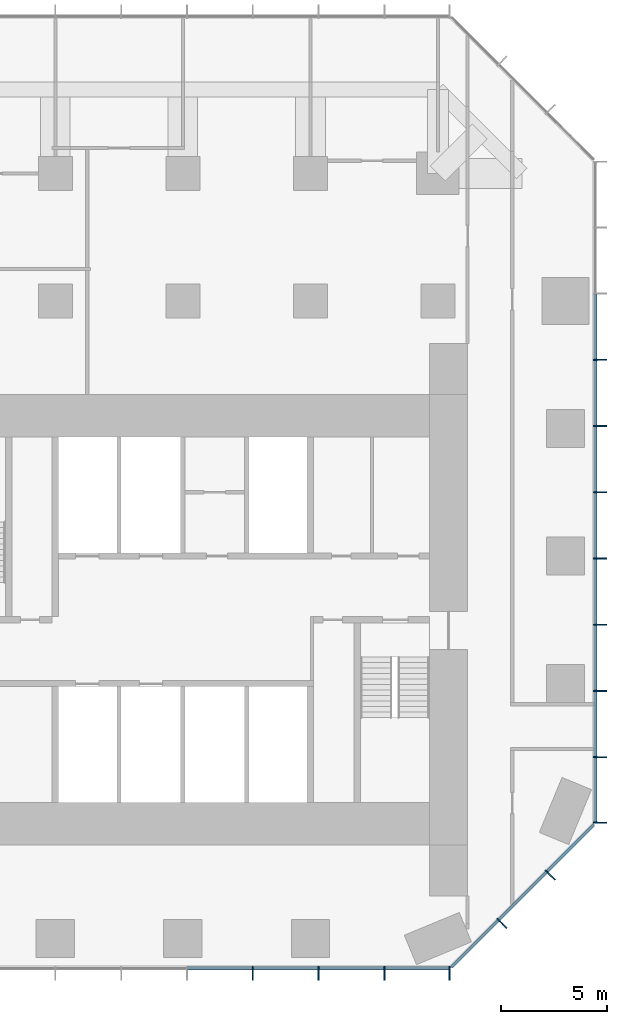
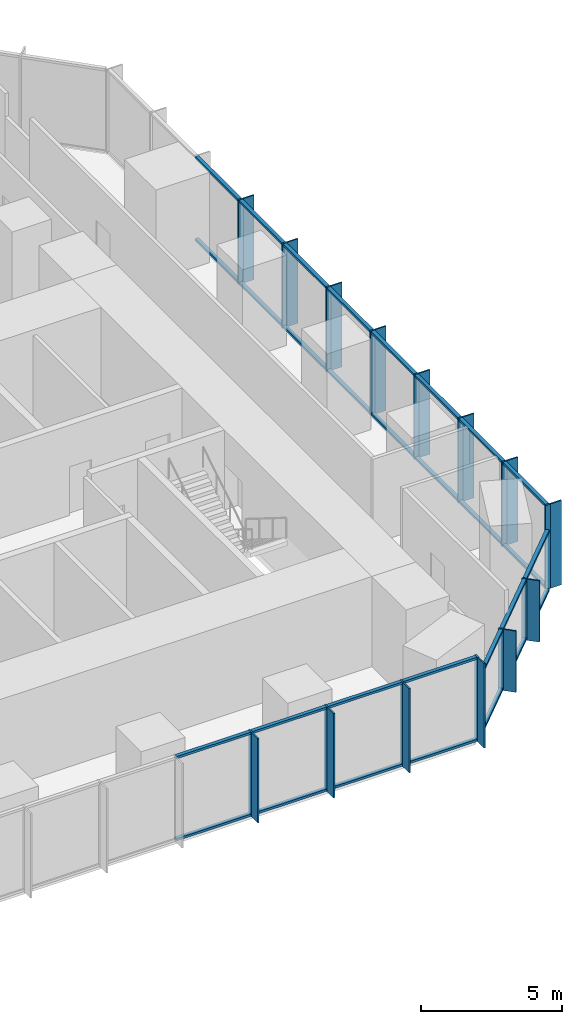
# One storey, part 4 of 11: 58 members, 3 elements without a shape of their own.
"""IFC4 building model written with IfcOpenShell, lengths in metres."""

from ifc_helpers import new_model, si_unit, direction, frame, origin, origin_2d, place, context, subcontext, project, spatial, rectangle, extrude, material, layer, layer_set, material_profile, profile_set, type_object, element, aggregate, save


model = new_model("IFC4")

# Units and contexts
model_context = context("Model", 3, precision=1e-05, world=origin(), true_north=direction((0.0, 1.0)))
body_context = subcontext(model_context, "Body", "Model", "MODEL_VIEW")
ifc_project = project(units=[si_unit("LENGTHUNIT", "METRE"), si_unit("AREAUNIT", "SQUARE_METRE"), si_unit("VOLUMEUNIT", "CUBIC_METRE"), si_unit("PLANEANGLEUNIT", "RADIAN"), si_unit("MASSUNIT", "GRAM", prefix="KILO")], contexts=[model_context])

# Site, building, storey
site_placement = place(None, origin())
site = spatial("IfcSite", under=ifc_project, at=site_placement, CompositionType="ELEMENT")
building_placement = place(site_placement, origin())
building = spatial("IfcBuilding", under=site, at=building_placement, Name="Highveld Stack Headquarters", CompositionType="ELEMENT")
storey_placement = place(building_placement, frame((0.0, 0.0, 113.300048828125)))
storey = spatial("IfcBuildingStorey", under=building, at=storey_placement, Name="L27", CompositionType="ELEMENT", Elevation=113.300048828125)

# Curtain wall, members
ifc_material_1 = material(Name="Aluminium bronze anodised", Category="aluminium")
ifc_layer_1 = layer(ifc_material_1, 0.199951171875)
ifc_layer_set_1 = layer_set([ifc_layer_1], Name="Aluminium bronze anodised")
curtain_wall_type_1 = type_object("IfcCurtainWallType", Name="CW1 TOWER UNITISED CURTAIN WALL", PredefinedType="NOTDEFINED", material=ifc_layer_set_1)
curtain_wall_1_placement = place(storey_placement, origin())
curtain_wall_1 = element("IfcCurtainWall", 1, at=curtain_wall_1_placement, inside=storey, type_object=curtain_wall_type_1, Name="Curtain wall CW1 L27 S", PredefinedType="NOTDEFINED")
ifc_material_2 = material(Name="Aluminium bronze anodised", Category="aluminium")
ifc_material_profile_1 = material_profile(ifc_material_2, rectangle(XDim=0.449951171875, YDim=0.06005859375, at=origin_2d()), Name="FIN 450x60")
ifc_profile_set_1 = profile_set([ifc_material_profile_1], Name="Aluminium bronze anodised")
member_type_1 = type_object("IfcMemberType", Name="CW1 BRONZE FIN 450x60", PredefinedType="USERDEFINED", material=ifc_profile_set_1)
member_1_placement = place(storey_placement, frame((9.2900390625, -13.72509765625, 0.0), z_axis=(0.0, 0.0, 1.0), x_axis=(0.0, 1.0, 0.0)))
member_1 = element("IfcMember", 2, at=member_1_placement, type_object=member_type_1, Name="CW1 fin L27 10", ObjectType="FIN", PredefinedType="USERDEFINED", context=body_context, shape_type="SweptSolid", body=[
    extrude(rectangle(XDim=0.449951171875, YDim=0.06005859375, at=origin_2d()), origin(), (0.0, 0.0, 1.0), 3.64990234375),
])
member_2_placement = place(storey_placement, frame((12.38671875, -13.72509765625, 0.0), z_axis=(0.0, 0.0, 1.0), x_axis=(0.0, 1.0, 0.0)))
member_2 = element("IfcMember", 3, at=member_2_placement, type_object=member_type_1, Name="CW1 fin L27 11", ObjectType="FIN", PredefinedType="USERDEFINED", context=body_context, shape_type="SweptSolid", body=[
    extrude(rectangle(XDim=0.449951171875, YDim=0.06005859375, at=origin_2d()), origin(), (0.0, 0.0, 1.0), 3.64990234375),
])
member_3_placement = place(storey_placement, frame((15.4833984375, -13.72509765625, 0.0), z_axis=(0.0, 0.0, 1.0), x_axis=(0.0, 1.0, 0.0)))
member_3 = element("IfcMember", 4, at=member_3_placement, type_object=member_type_1, Name="CW1 fin L27 12", ObjectType="FIN", PredefinedType="USERDEFINED", context=body_context, shape_type="SweptSolid", body=[
    extrude(rectangle(XDim=0.449951171875, YDim=0.06005859375, at=origin_2d()), origin(), (0.0, 0.0, 1.0), 3.64990234375),
])
member_4_placement = place(storey_placement, frame((18.54736328125, -13.72509765625, 0.0), z_axis=(0.0, 0.0, 1.0), x_axis=(0.0, 1.0, 0.0)))
member_4 = element("IfcMember", 5, at=member_4_placement, type_object=member_type_1, Name="CW1 fin L27 13", ObjectType="FIN", PredefinedType="USERDEFINED", context=body_context, shape_type="SweptSolid", body=[
    extrude(rectangle(XDim=0.449951171875, YDim=0.06005859375, at=origin_2d()), origin(), (0.0, 0.0, 1.0), 3.64990234375),
])

curtain_wall_2_placement = place(storey_placement, origin())
curtain_wall_2 = element("IfcCurtainWall", 6, at=curtain_wall_2_placement, inside=storey, type_object=curtain_wall_type_1, Name="Curtain wall CW1 L27 E", PredefinedType="NOTDEFINED")
member_5_placement = place(storey_placement, frame((25.72509765625, -6.54736328125, 0.0), z_axis=(0.0, 0.0, 1.0), x_axis=(-1.0, 0.0, 0.0)))
member_5 = element("IfcMember", 7, at=member_5_placement, type_object=member_type_1, Name="CW1 fin L27 1", ObjectType="FIN", PredefinedType="USERDEFINED", context=body_context, shape_type="SweptSolid", body=[
    extrude(rectangle(XDim=0.449951171875, YDim=0.06005859375, at=origin_2d()), origin(), (0.0, 0.0, 1.0), 3.64990234375),
])
member_6_placement = place(storey_placement, frame((25.72509765625, -3.4638671875, 0.0), z_axis=(0.0, 0.0, 1.0), x_axis=(-1.0, 0.0, 0.0)))
member_6 = element("IfcMember", 8, at=member_6_placement, type_object=member_type_1, Name="CW1 fin L27 2", ObjectType="FIN", PredefinedType="USERDEFINED", context=body_context, shape_type="SweptSolid", body=[
    extrude(rectangle(XDim=0.449951171875, YDim=0.06005859375, at=origin_2d()), origin(), (0.0, 0.0, 1.0), 3.64990234375),
])
member_7_placement = place(storey_placement, frame((25.72509765625, -0.347900390625, 0.0), z_axis=(0.0, 0.0, 1.0), x_axis=(-1.0, 0.0, 0.0)))
member_7 = element("IfcMember", 9, at=member_7_placement, type_object=member_type_1, Name="CW1 fin L27 3", ObjectType="FIN", PredefinedType="USERDEFINED", context=body_context, shape_type="SweptSolid", body=[
    extrude(rectangle(XDim=0.449951171875, YDim=0.06005859375, at=origin_2d()), origin(), (0.0, 0.0, 1.0), 3.64990234375),
])
member_8_placement = place(storey_placement, frame((25.72509765625, 2.76806640625, 0.0), z_axis=(0.0, 0.0, 1.0), x_axis=(-1.0, 0.0, 0.0)))
member_8 = element("IfcMember", 10, at=member_8_placement, type_object=member_type_1, Name="CW1 fin L27 4", ObjectType="FIN", PredefinedType="USERDEFINED", context=body_context, shape_type="SweptSolid", body=[
    extrude(rectangle(XDim=0.449951171875, YDim=0.06005859375, at=origin_2d()), origin(), (0.0, 0.0, 1.0), 3.64990234375),
])
member_9_placement = place(storey_placement, frame((25.72509765625, 5.884033203125, 0.0), z_axis=(0.0, 0.0, 1.0), x_axis=(-1.0, 0.0, 0.0)))
member_9 = element("IfcMember", 11, at=member_9_placement, type_object=member_type_1, Name="CW1 fin L27 5", ObjectType="FIN", PredefinedType="USERDEFINED", context=body_context, shape_type="SweptSolid", body=[
    extrude(rectangle(XDim=0.449951171875, YDim=0.06005859375, at=origin_2d()), origin(), (0.0, 0.0, 1.0), 3.64990234375),
])
member_10_placement = place(storey_placement, frame((25.72509765625, 9.0, 0.0), z_axis=(0.0, 0.0, 1.0), x_axis=(-1.0, 0.0, 0.0)))
member_10 = element("IfcMember", 12, at=member_10_placement, type_object=member_type_1, Name="CW1 fin L27 6", ObjectType="FIN", PredefinedType="USERDEFINED", context=body_context, shape_type="SweptSolid", body=[
    extrude(rectangle(XDim=0.449951171875, YDim=0.06005859375, at=origin_2d()), origin(), (0.0, 0.0, 1.0), 3.64990234375),
])
member_11_placement = place(storey_placement, frame((25.72509765625, 12.115966796875, 0.0), z_axis=(0.0, 0.0, 1.0), x_axis=(-1.0, 0.0, 0.0)))
member_11 = element("IfcMember", 13, at=member_11_placement, type_object=member_type_1, Name="CW1 fin L27 7", ObjectType="FIN", PredefinedType="USERDEFINED", context=body_context, shape_type="SweptSolid", body=[
    extrude(rectangle(XDim=0.449951171875, YDim=0.06005859375, at=origin_2d()), origin(), (0.0, 0.0, 1.0), 3.64990234375),
])
member_12_placement = place(storey_placement, frame((25.72509765625, 15.23193359375, 0.0), z_axis=(0.0, 0.0, 1.0), x_axis=(-1.0, 0.0, 0.0)))
member_12 = element("IfcMember", 14, at=member_12_placement, type_object=member_type_1, Name="CW1 fin L27 8", ObjectType="FIN", PredefinedType="USERDEFINED", context=body_context, shape_type="SweptSolid", body=[
    extrude(rectangle(XDim=0.449951171875, YDim=0.06005859375, at=origin_2d()), origin(), (0.0, 0.0, 1.0), 3.64990234375),
])

# Member
ifc_material_3 = material(Name="Aluminium bronze anodised", Category="aluminium")
ifc_material_profile_2 = material_profile(ifc_material_3, rectangle(XDim=0.199951171875, YDim=0.06494140625, at=origin_2d()), Name="CW1 MULLION 65x200")
ifc_profile_set_2 = profile_set([ifc_material_profile_2], Name="Aluminium bronze anodised")
member_type_2 = type_object("IfcMemberType", Name="CW1 MULLION 65x200", PredefinedType="MULLION", material=ifc_profile_set_2)
member_13_placement = place(storey_placement, frame((9.2900390625, -13.39990234375, 0.0), z_axis=(0.0, 0.0, 1.0), x_axis=(0.0, 1.0, 0.0)))
member_13 = element("IfcMember", 15, at=member_13_placement, type_object=member_type_2, Name="CW1 mullion L27 10", PredefinedType="MULLION", context=body_context, shape_type="SweptSolid", body=[
    extrude(rectangle(XDim=0.199951171875, YDim=0.06494140625, at=origin_2d()), origin(), (0.0, 0.0, 1.0), 3.64990234375),
])

member_14_placement = place(storey_placement, frame((12.38671875, -13.39990234375, 0.0), z_axis=(0.0, 0.0, 1.0), x_axis=(0.0, 1.0, 0.0)))
member_14 = element("IfcMember", 16, at=member_14_placement, type_object=member_type_2, Name="CW1 mullion L27 11", PredefinedType="MULLION", context=body_context, shape_type="SweptSolid", body=[
    extrude(rectangle(XDim=0.199951171875, YDim=0.06494140625, at=origin_2d()), origin(), (0.0, 0.0, 1.0), 3.64990234375),
])

member_15_placement = place(storey_placement, frame((15.4833984375, -13.39990234375, 0.0), z_axis=(0.0, 0.0, 1.0), x_axis=(0.0, 1.0, 0.0)))
member_15 = element("IfcMember", 17, at=member_15_placement, type_object=member_type_2, Name="CW1 mullion L27 12", PredefinedType="MULLION", context=body_context, shape_type="SweptSolid", body=[
    extrude(rectangle(XDim=0.199951171875, YDim=0.06494140625, at=origin_2d()), origin(), (0.0, 0.0, 1.0), 3.64990234375),
])

member_16_placement = place(storey_placement, frame((18.54736328125, -13.39990234375, 0.0), z_axis=(0.0, 0.0, 1.0), x_axis=(0.0, 1.0, 0.0)))
member_16 = element("IfcMember", 18, at=member_16_placement, type_object=member_type_2, Name="CW1 mullion L27 13", PredefinedType="MULLION", context=body_context, shape_type="SweptSolid", body=[
    extrude(rectangle(XDim=0.199951171875, YDim=0.06494140625, at=origin_2d()), origin(), (0.0, 0.0, 1.0), 3.64990234375),
])

member_17_placement = place(storey_placement, frame((25.39990234375, -6.54736328125, 0.0), z_axis=(0.0, 0.0, 1.0), x_axis=(-1.0, 0.0, 0.0)))
member_17 = element("IfcMember", 19, at=member_17_placement, type_object=member_type_2, Name="CW1 mullion L27 1", PredefinedType="MULLION", context=body_context, shape_type="SweptSolid", body=[
    extrude(rectangle(XDim=0.199951171875, YDim=0.06494140625, at=origin_2d()), origin(), (0.0, 0.0, 1.0), 3.64990234375),
])

member_18_placement = place(storey_placement, frame((25.39990234375, -3.4638671875, 0.0), z_axis=(0.0, 0.0, 1.0), x_axis=(-1.0, 0.0, 0.0)))
member_18 = element("IfcMember", 20, at=member_18_placement, type_object=member_type_2, Name="CW1 mullion L27 2", PredefinedType="MULLION", context=body_context, shape_type="SweptSolid", body=[
    extrude(rectangle(XDim=0.199951171875, YDim=0.06494140625, at=origin_2d()), origin(), (0.0, 0.0, 1.0), 3.64990234375),
])

member_19_placement = place(storey_placement, frame((25.39990234375, -0.347900390625, 0.0), z_axis=(0.0, 0.0, 1.0), x_axis=(-1.0, 0.0, 0.0)))
member_19 = element("IfcMember", 21, at=member_19_placement, type_object=member_type_2, Name="CW1 mullion L27 3", PredefinedType="MULLION", context=body_context, shape_type="SweptSolid", body=[
    extrude(rectangle(XDim=0.199951171875, YDim=0.06494140625, at=origin_2d()), origin(), (0.0, 0.0, 1.0), 3.64990234375),
])

member_20_placement = place(storey_placement, frame((25.39990234375, 2.76806640625, 0.0), z_axis=(0.0, 0.0, 1.0), x_axis=(-1.0, 0.0, 0.0)))
member_20 = element("IfcMember", 22, at=member_20_placement, type_object=member_type_2, Name="CW1 mullion L27 4", PredefinedType="MULLION", context=body_context, shape_type="SweptSolid", body=[
    extrude(rectangle(XDim=0.199951171875, YDim=0.06494140625, at=origin_2d()), origin(), (0.0, 0.0, 1.0), 3.64990234375),
])

member_21_placement = place(storey_placement, frame((25.39990234375, 5.884033203125, 0.0), z_axis=(0.0, 0.0, 1.0), x_axis=(-1.0, 0.0, 0.0)))
member_21 = element("IfcMember", 23, at=member_21_placement, type_object=member_type_2, Name="CW1 mullion L27 5", PredefinedType="MULLION", context=body_context, shape_type="SweptSolid", body=[
    extrude(rectangle(XDim=0.199951171875, YDim=0.06494140625, at=origin_2d()), origin(), (0.0, 0.0, 1.0), 3.64990234375),
])

member_22_placement = place(storey_placement, frame((25.39990234375, 9.0, 0.0), z_axis=(0.0, 0.0, 1.0), x_axis=(-1.0, 0.0, 0.0)))
member_22 = element("IfcMember", 24, at=member_22_placement, type_object=member_type_2, Name="CW1 mullion L27 6", PredefinedType="MULLION", context=body_context, shape_type="SweptSolid", body=[
    extrude(rectangle(XDim=0.199951171875, YDim=0.06494140625, at=origin_2d()), origin(), (0.0, 0.0, 1.0), 3.64990234375),
])

member_23_placement = place(storey_placement, frame((25.39990234375, 12.115966796875, 0.0), z_axis=(0.0, 0.0, 1.0), x_axis=(-1.0, 0.0, 0.0)))
member_23 = element("IfcMember", 25, at=member_23_placement, type_object=member_type_2, Name="CW1 mullion L27 7", PredefinedType="MULLION", context=body_context, shape_type="SweptSolid", body=[
    extrude(rectangle(XDim=0.199951171875, YDim=0.06494140625, at=origin_2d()), origin(), (0.0, 0.0, 1.0), 3.64990234375),
])

member_24_placement = place(storey_placement, frame((25.39990234375, 15.23193359375, 0.0), z_axis=(0.0, 0.0, 1.0), x_axis=(-1.0, 0.0, 0.0)))
member_24 = element("IfcMember", 26, at=member_24_placement, type_object=member_type_2, Name="CW1 mullion L27 8", PredefinedType="MULLION", context=body_context, shape_type="SweptSolid", body=[
    extrude(rectangle(XDim=0.199951171875, YDim=0.06494140625, at=origin_2d()), origin(), (0.0, 0.0, 1.0), 3.64990234375),
])

ifc_material_4 = material(Name="Aluminium bronze anodised", Category="aluminium")
ifc_material_profile_3 = material_profile(ifc_material_4, rectangle(XDim=0.14990234375, YDim=0.10009765625, at=origin_2d()), Name="CW1 TRANSOM 150x100")
ifc_profile_set_3 = profile_set([ifc_material_profile_3], Name="Aluminium bronze anodised")
member_type_3 = type_object("IfcMemberType", Name="CW1 STACK TRANSOM 150x100", PredefinedType="USERDEFINED", material=ifc_profile_set_3)
member_25_placement = place(storey_placement, frame((6.225830078125, -13.39990234375, 0.050048828125), z_axis=(1.0, 0.0, 0.0), x_axis=(0.0, 1.0, 0.0)))
member_25 = element("IfcMember", 27, at=member_25_placement, type_object=member_type_3, Name="CW1 transom L27 9.1", ObjectType="TRANSOM", PredefinedType="USERDEFINED", context=body_context, shape_type="SweptSolid", body=[
    extrude(rectangle(XDim=0.14990234375, YDim=0.10009765625, at=origin_2d()), origin(), (0.0, 0.0, 1.0), 3.03173828125),
])

member_26_placement = place(storey_placement, frame((6.225830078125, -13.39990234375, 3.599853515625), z_axis=(1.0, 0.0, 0.0), x_axis=(0.0, 1.0, 0.0)))
member_26 = element("IfcMember", 28, at=member_26_placement, type_object=member_type_3, Name="CW1 transom L27 9.2", ObjectType="TRANSOM", PredefinedType="USERDEFINED", context=body_context, shape_type="SweptSolid", body=[
    extrude(rectangle(XDim=0.14990234375, YDim=0.10009765625, at=origin_2d()), origin(), (0.0, 0.0, 1.0), 3.03173828125),
])

member_27_placement = place(storey_placement, frame((9.322509765625, -13.39990234375, 0.050048828125), z_axis=(1.0, 0.0, 0.0), x_axis=(0.0, 1.0, 0.0)))
member_27 = element("IfcMember", 29, at=member_27_placement, type_object=member_type_3, Name="CW1 transom L27 10.1", ObjectType="TRANSOM", PredefinedType="USERDEFINED", context=body_context, shape_type="SweptSolid", body=[
    extrude(rectangle(XDim=0.14990234375, YDim=0.10009765625, at=origin_2d()), origin(), (0.0, 0.0, 1.0), 3.031494140625),
])

member_28_placement = place(storey_placement, frame((9.322509765625, -13.39990234375, 3.599853515625), z_axis=(1.0, 0.0, 0.0), x_axis=(0.0, 1.0, 0.0)))
member_28 = element("IfcMember", 30, at=member_28_placement, type_object=member_type_3, Name="CW1 transom L27 10.2", ObjectType="TRANSOM", PredefinedType="USERDEFINED", context=body_context, shape_type="SweptSolid", body=[
    extrude(rectangle(XDim=0.14990234375, YDim=0.10009765625, at=origin_2d()), origin(), (0.0, 0.0, 1.0), 3.031494140625),
])

member_29_placement = place(storey_placement, frame((12.419189453125, -13.39990234375, 0.050048828125), z_axis=(1.0, 0.0, 0.0), x_axis=(0.0, 1.0, 0.0)))
member_29 = element("IfcMember", 31, at=member_29_placement, type_object=member_type_3, Name="CW1 transom L27 11.1", ObjectType="TRANSOM", PredefinedType="USERDEFINED", context=body_context, shape_type="SweptSolid", body=[
    extrude(rectangle(XDim=0.14990234375, YDim=0.10009765625, at=origin_2d()), origin(), (0.0, 0.0, 1.0), 3.031494140625),
])

member_30_placement = place(storey_placement, frame((12.419189453125, -13.39990234375, 3.599853515625), z_axis=(1.0, 0.0, 0.0), x_axis=(0.0, 1.0, 0.0)))
member_30 = element("IfcMember", 32, at=member_30_placement, type_object=member_type_3, Name="CW1 transom L27 11.2", ObjectType="TRANSOM", PredefinedType="USERDEFINED", context=body_context, shape_type="SweptSolid", body=[
    extrude(rectangle(XDim=0.14990234375, YDim=0.10009765625, at=origin_2d()), origin(), (0.0, 0.0, 1.0), 3.031494140625),
])

member_31_placement = place(storey_placement, frame((15.515869140625, -13.39990234375, 0.050048828125), z_axis=(1.0, 0.0, 0.0), x_axis=(0.0, 1.0, 0.0)))
member_31 = element("IfcMember", 33, at=member_31_placement, type_object=member_type_3, Name="CW1 transom L27 12.1", ObjectType="TRANSOM", PredefinedType="USERDEFINED", context=body_context, shape_type="SweptSolid", body=[
    extrude(rectangle(XDim=0.14990234375, YDim=0.10009765625, at=origin_2d()), origin(), (0.0, 0.0, 1.0), 2.9990234375),
])

member_32_placement = place(storey_placement, frame((15.515869140625, -13.39990234375, 3.599853515625), z_axis=(1.0, 0.0, 0.0), x_axis=(0.0, 1.0, 0.0)))
member_32 = element("IfcMember", 34, at=member_32_placement, type_object=member_type_3, Name="CW1 transom L27 12.2", ObjectType="TRANSOM", PredefinedType="USERDEFINED", context=body_context, shape_type="SweptSolid", body=[
    extrude(rectangle(XDim=0.14990234375, YDim=0.10009765625, at=origin_2d()), origin(), (0.0, 0.0, 1.0), 2.9990234375),
])

aggregate(curtain_wall_1, [member_13, member_1, member_14, member_2, member_15, member_3, member_16, member_4, member_25, member_26, member_27, member_28, member_29, member_30, member_31, member_32])

member_33_placement = place(storey_placement, frame((25.39990234375, -6.514892578125, 0.050048828125), z_axis=(0.0, 1.0, 0.0), x_axis=(-1.0, 0.0, 0.0)))
member_33 = element("IfcMember", 35, at=member_33_placement, type_object=member_type_3, Name="CW1 transom L27 1.1", ObjectType="TRANSOM", PredefinedType="USERDEFINED", context=body_context, shape_type="SweptSolid", body=[
    extrude(rectangle(XDim=0.14990234375, YDim=0.10009765625, at=origin_2d()), origin(), (0.0, 0.0, 1.0), 3.0185546875),
])

member_34_placement = place(storey_placement, frame((25.39990234375, -6.514892578125, 3.599853515625), z_axis=(0.0, 1.0, 0.0), x_axis=(-1.0, 0.0, 0.0)))
member_34 = element("IfcMember", 36, at=member_34_placement, type_object=member_type_3, Name="CW1 transom L27 1.2", ObjectType="TRANSOM", PredefinedType="USERDEFINED", context=body_context, shape_type="SweptSolid", body=[
    extrude(rectangle(XDim=0.14990234375, YDim=0.10009765625, at=origin_2d()), origin(), (0.0, 0.0, 1.0), 3.0185546875),
])

member_35_placement = place(storey_placement, frame((25.39990234375, -3.431396484375, 0.050048828125), z_axis=(0.0, 1.0, 0.0), x_axis=(-1.0, 0.0, 0.0)))
member_35 = element("IfcMember", 37, at=member_35_placement, type_object=member_type_3, Name="CW1 transom L27 2.1", ObjectType="TRANSOM", PredefinedType="USERDEFINED", context=body_context, shape_type="SweptSolid", body=[
    extrude(rectangle(XDim=0.14990234375, YDim=0.10009765625, at=origin_2d()), origin(), (0.0, 0.0, 1.0), 3.051025390625),
])

member_36_placement = place(storey_placement, frame((25.39990234375, -3.431396484375, 3.599853515625), z_axis=(0.0, 1.0, 0.0), x_axis=(-1.0, 0.0, 0.0)))
member_36 = element("IfcMember", 38, at=member_36_placement, type_object=member_type_3, Name="CW1 transom L27 2.2", ObjectType="TRANSOM", PredefinedType="USERDEFINED", context=body_context, shape_type="SweptSolid", body=[
    extrude(rectangle(XDim=0.14990234375, YDim=0.10009765625, at=origin_2d()), origin(), (0.0, 0.0, 1.0), 3.051025390625),
])

member_37_placement = place(storey_placement, frame((25.39990234375, -0.3154296875, 0.050048828125), z_axis=(0.0, 1.0, 0.0), x_axis=(-1.0, 0.0, 0.0)))
member_37 = element("IfcMember", 39, at=member_37_placement, type_object=member_type_3, Name="CW1 transom L27 3.1", ObjectType="TRANSOM", PredefinedType="USERDEFINED", context=body_context, shape_type="SweptSolid", body=[
    extrude(rectangle(XDim=0.14990234375, YDim=0.10009765625, at=origin_2d()), origin(), (0.0, 0.0, 1.0), 3.051025390625),
])

member_38_placement = place(storey_placement, frame((25.39990234375, -0.3154296875, 3.599853515625), z_axis=(0.0, 1.0, 0.0), x_axis=(-1.0, 0.0, 0.0)))
member_38 = element("IfcMember", 40, at=member_38_placement, type_object=member_type_3, Name="CW1 transom L27 3.2", ObjectType="TRANSOM", PredefinedType="USERDEFINED", context=body_context, shape_type="SweptSolid", body=[
    extrude(rectangle(XDim=0.14990234375, YDim=0.10009765625, at=origin_2d()), origin(), (0.0, 0.0, 1.0), 3.051025390625),
])

member_39_placement = place(storey_placement, frame((25.39990234375, 2.800537109375, 0.050048828125), z_axis=(0.0, 1.0, 0.0), x_axis=(-1.0, 0.0, 0.0)))
member_39 = element("IfcMember", 41, at=member_39_placement, type_object=member_type_3, Name="CW1 transom L27 4.1", ObjectType="TRANSOM", PredefinedType="USERDEFINED", context=body_context, shape_type="SweptSolid", body=[
    extrude(rectangle(XDim=0.14990234375, YDim=0.10009765625, at=origin_2d()), origin(), (0.0, 0.0, 1.0), 3.051025390625),
])

member_40_placement = place(storey_placement, frame((25.39990234375, 2.800537109375, 3.599853515625), z_axis=(0.0, 1.0, 0.0), x_axis=(-1.0, 0.0, 0.0)))
member_40 = element("IfcMember", 42, at=member_40_placement, type_object=member_type_3, Name="CW1 transom L27 4.2", ObjectType="TRANSOM", PredefinedType="USERDEFINED", context=body_context, shape_type="SweptSolid", body=[
    extrude(rectangle(XDim=0.14990234375, YDim=0.10009765625, at=origin_2d()), origin(), (0.0, 0.0, 1.0), 3.051025390625),
])

member_41_placement = place(storey_placement, frame((25.39990234375, 5.91650390625, 0.050048828125), z_axis=(0.0, 1.0, 0.0), x_axis=(-1.0, 0.0, 0.0)))
member_41 = element("IfcMember", 43, at=member_41_placement, type_object=member_type_3, Name="CW1 transom L27 5.1", ObjectType="TRANSOM", PredefinedType="USERDEFINED", context=body_context, shape_type="SweptSolid", body=[
    extrude(rectangle(XDim=0.14990234375, YDim=0.10009765625, at=origin_2d()), origin(), (0.0, 0.0, 1.0), 3.051025390625),
])

member_42_placement = place(storey_placement, frame((25.39990234375, 5.91650390625, 3.599853515625), z_axis=(0.0, 1.0, 0.0), x_axis=(-1.0, 0.0, 0.0)))
member_42 = element("IfcMember", 44, at=member_42_placement, type_object=member_type_3, Name="CW1 transom L27 5.2", ObjectType="TRANSOM", PredefinedType="USERDEFINED", context=body_context, shape_type="SweptSolid", body=[
    extrude(rectangle(XDim=0.14990234375, YDim=0.10009765625, at=origin_2d()), origin(), (0.0, 0.0, 1.0), 3.051025390625),
])

member_43_placement = place(storey_placement, frame((25.39990234375, 9.032470703125, 0.050048828125), z_axis=(0.0, 1.0, 0.0), x_axis=(-1.0, 0.0, 0.0)))
member_43 = element("IfcMember", 45, at=member_43_placement, type_object=member_type_3, Name="CW1 transom L27 6.1", ObjectType="TRANSOM", PredefinedType="USERDEFINED", context=body_context, shape_type="SweptSolid", body=[
    extrude(rectangle(XDim=0.14990234375, YDim=0.10009765625, at=origin_2d()), origin(), (0.0, 0.0, 1.0), 3.051025390625),
])

member_44_placement = place(storey_placement, frame((25.39990234375, 9.032470703125, 3.599853515625), z_axis=(0.0, 1.0, 0.0), x_axis=(-1.0, 0.0, 0.0)))
member_44 = element("IfcMember", 46, at=member_44_placement, type_object=member_type_3, Name="CW1 transom L27 6.2", ObjectType="TRANSOM", PredefinedType="USERDEFINED", context=body_context, shape_type="SweptSolid", body=[
    extrude(rectangle(XDim=0.14990234375, YDim=0.10009765625, at=origin_2d()), origin(), (0.0, 0.0, 1.0), 3.051025390625),
])

member_45_placement = place(storey_placement, frame((25.39990234375, 12.1484375, 0.050048828125), z_axis=(0.0, 1.0, 0.0), x_axis=(-1.0, 0.0, 0.0)))
member_45 = element("IfcMember", 47, at=member_45_placement, type_object=member_type_3, Name="CW1 transom L27 7.1", ObjectType="TRANSOM", PredefinedType="USERDEFINED", context=body_context, shape_type="SweptSolid", body=[
    extrude(rectangle(XDim=0.14990234375, YDim=0.10009765625, at=origin_2d()), origin(), (0.0, 0.0, 1.0), 3.051025390625),
])

member_46_placement = place(storey_placement, frame((25.39990234375, 12.1484375, 3.599853515625), z_axis=(0.0, 1.0, 0.0), x_axis=(-1.0, 0.0, 0.0)))
member_46 = element("IfcMember", 48, at=member_46_placement, type_object=member_type_3, Name="CW1 transom L27 7.2", ObjectType="TRANSOM", PredefinedType="USERDEFINED", context=body_context, shape_type="SweptSolid", body=[
    extrude(rectangle(XDim=0.14990234375, YDim=0.10009765625, at=origin_2d()), origin(), (0.0, 0.0, 1.0), 3.051025390625),
])

member_47_placement = place(storey_placement, frame((25.39990234375, 15.264404296875, 0.050048828125), z_axis=(0.0, 1.0, 0.0), x_axis=(-1.0, 0.0, 0.0)))
member_47 = element("IfcMember", 49, at=member_47_placement, type_object=member_type_3, Name="CW1 transom L27 8.1", ObjectType="TRANSOM", PredefinedType="USERDEFINED", context=body_context, shape_type="SweptSolid", body=[
    extrude(rectangle(XDim=0.14990234375, YDim=0.10009765625, at=origin_2d()), origin(), (0.0, 0.0, 1.0), 3.051025390625),
])

member_48_placement = place(storey_placement, frame((25.39990234375, 15.264404296875, 3.599853515625), z_axis=(0.0, 1.0, 0.0), x_axis=(-1.0, 0.0, 0.0)))
member_48 = element("IfcMember", 50, at=member_48_placement, type_object=member_type_3, Name="CW1 transom L27 8.2", ObjectType="TRANSOM", PredefinedType="USERDEFINED", context=body_context, shape_type="SweptSolid", body=[
    extrude(rectangle(XDim=0.14990234375, YDim=0.10009765625, at=origin_2d()), origin(), (0.0, 0.0, 1.0), 3.051025390625),
])

aggregate(curtain_wall_2, [member_17, member_5, member_18, member_6, member_19, member_7, member_20, member_8, member_21, member_9, member_22, member_10, member_23, member_11, member_24, member_12, member_33, member_34, member_35, member_36, member_37, member_38, member_39, member_40, member_41, member_42, member_43, member_44, member_45, member_46, member_47, member_48])

# Curtain wall, members
ifc_material_5 = material(Name="Aluminium bronze anodised", Category="aluminium")
ifc_layer_2 = layer(ifc_material_5, 0.199951171875)
ifc_layer_set_2 = layer_set([ifc_layer_2], Name="Aluminium bronze anodised")
curtain_wall_type_2 = type_object("IfcCurtainWallType", Name="CW2 TOWER CHAMFER UNITISED CURTAIN WALL", PredefinedType="NOTDEFINED", material=ifc_layer_set_2)
curtain_wall_3_placement = place(storey_placement, origin())
curtain_wall_3 = element("IfcCurtainWall", 51, at=curtain_wall_3_placement, inside=storey, type_object=curtain_wall_type_2, Name="Curtain wall CW2 L27 SE", PredefinedType="NOTDEFINED")
ifc_material_6 = material(Name="Aluminium bronze anodised", Category="aluminium")
ifc_material_profile_4 = material_profile(ifc_material_6, rectangle(XDim=0.449951171875, YDim=0.06005859375, at=origin_2d()), Name="FIN 450x60")
ifc_profile_set_4 = profile_set([ifc_material_profile_4], Name="Aluminium bronze anodised")
member_type_4 = type_object("IfcMemberType", Name="CW2 BRONZE FIN 450x60", PredefinedType="USERDEFINED", material=ifc_profile_set_4)
member_49_placement = place(storey_placement, frame((21.0830078125, -11.3564453125, 0.0), z_axis=(0.0, 0.0, 1.0), x_axis=(-0.707106781187, 0.707106781187, 0.0)))
member_49 = element("IfcMember", 52, at=member_49_placement, type_object=member_type_4, Name="CW2 fin L27 1", ObjectType="FIN", PredefinedType="USERDEFINED", context=body_context, shape_type="SweptSolid", body=[
    extrude(rectangle(XDim=0.449951171875, YDim=0.06005859375, at=origin_2d()), origin(), (0.0, 0.0, 1.0), 2.64990234375),
])
member_50_placement = place(storey_placement, frame((23.3564453125, -9.0830078125, 0.0), z_axis=(0.0, 0.0, 1.0), x_axis=(-0.707106781187, 0.707106781187, 0.0)))
member_50 = element("IfcMember", 53, at=member_50_placement, type_object=member_type_4, Name="CW2 fin L27 2", ObjectType="FIN", PredefinedType="USERDEFINED", context=body_context, shape_type="SweptSolid", body=[
    extrude(rectangle(XDim=0.449951171875, YDim=0.06005859375, at=origin_2d()), origin(), (0.0, 0.0, 1.0), 2.64990234375),
])
ifc_material_7 = material(Name="Aluminium bronze anodised", Category="aluminium")
ifc_material_profile_5 = material_profile(ifc_material_7, rectangle(XDim=0.199951171875, YDim=0.06494140625, at=origin_2d()), Name="CW2 MULLION 65x200")
ifc_profile_set_5 = profile_set([ifc_material_profile_5], Name="Aluminium bronze anodised")
member_type_5 = type_object("IfcMemberType", Name="CW2 MULLION 65x200", PredefinedType="MULLION", material=ifc_profile_set_5)
member_51_placement = place(storey_placement, frame((20.853271484375, -11.126708984375, 0.0), z_axis=(0.0, 0.0, 1.0), x_axis=(-0.707106781187, 0.707106781187, 0.0)))
member_51 = element("IfcMember", 54, at=member_51_placement, type_object=member_type_5, Name="CW2 mullion L27 1", PredefinedType="MULLION", context=body_context, shape_type="SweptSolid", body=[
    extrude(rectangle(XDim=0.199951171875, YDim=0.06494140625, at=origin_2d()), origin(), (0.0, 0.0, 1.0), 2.64990234375),
])
member_52_placement = place(storey_placement, frame((23.126708984375, -8.853271484375, 0.0), z_axis=(0.0, 0.0, 1.0), x_axis=(-0.707106781187, 0.707106781187, 0.0)))
member_52 = element("IfcMember", 55, at=member_52_placement, type_object=member_type_5, Name="CW2 mullion L27 2", PredefinedType="MULLION", context=body_context, shape_type="SweptSolid", body=[
    extrude(rectangle(XDim=0.199951171875, YDim=0.06494140625, at=origin_2d()), origin(), (0.0, 0.0, 1.0), 2.64990234375),
])
ifc_material_8 = material(Name="Aluminium bronze anodised", Category="aluminium")
ifc_material_profile_6 = material_profile(ifc_material_8, rectangle(XDim=0.14990234375, YDim=0.10009765625, at=origin_2d()), Name="CW2 TRANSOM 150x100")
ifc_profile_set_6 = profile_set([ifc_material_profile_6], Name="Aluminium bronze anodised")
member_type_6 = type_object("IfcMemberType", Name="CW2 STACK TRANSOM 150x100", PredefinedType="USERDEFINED", material=ifc_profile_set_6)
member_53_placement = place(storey_placement, frame((18.650634765625, -13.329345703125, 0.050048828125), z_axis=(0.707106781187, 0.707106781187, 0.0), x_axis=(-0.707106781187, 0.707106781187, 0.0)))
member_53 = element("IfcMember", 56, at=member_53_placement, type_object=member_type_6, Name="CW2 transom L27 1.1", ObjectType="TRANSOM", PredefinedType="USERDEFINED", context=body_context, shape_type="SweptSolid", body=[
    extrude(rectangle(XDim=0.14990234375, YDim=0.10009765625, at=origin_2d()), origin(), (0.0, 0.0, 1.0), 3.08251953125),
])
member_54_placement = place(storey_placement, frame((18.650634765625, -13.329345703125, 2.599853515625), z_axis=(0.707106781187, 0.707106781187, 0.0), x_axis=(-0.707106781187, 0.707106781187, 0.0)))
member_54 = element("IfcMember", 57, at=member_54_placement, type_object=member_type_6, Name="CW2 transom L27 1.2", ObjectType="TRANSOM", PredefinedType="USERDEFINED", context=body_context, shape_type="SweptSolid", body=[
    extrude(rectangle(XDim=0.14990234375, YDim=0.10009765625, at=origin_2d()), origin(), (0.0, 0.0, 1.0), 3.08251953125),
])
member_55_placement = place(storey_placement, frame((20.876220703125, -11.103759765625, 0.050048828125), z_axis=(0.707106781187, 0.707106781187, 0.0), x_axis=(-0.707106781187, 0.707106781187, 0.0)))
member_55 = element("IfcMember", 58, at=member_55_placement, type_object=member_type_6, Name="CW2 transom L27 2.1", ObjectType="TRANSOM", PredefinedType="USERDEFINED", context=body_context, shape_type="SweptSolid", body=[
    extrude(rectangle(XDim=0.14990234375, YDim=0.10009765625, at=origin_2d()), origin(), (0.0, 0.0, 1.0), 3.150146484375),
])
member_56_placement = place(storey_placement, frame((20.876220703125, -11.103759765625, 2.599853515625), z_axis=(0.707106781187, 0.707106781187, 0.0), x_axis=(-0.707106781187, 0.707106781187, 0.0)))
member_56 = element("IfcMember", 59, at=member_56_placement, type_object=member_type_6, Name="CW2 transom L27 2.2", ObjectType="TRANSOM", PredefinedType="USERDEFINED", context=body_context, shape_type="SweptSolid", body=[
    extrude(rectangle(XDim=0.14990234375, YDim=0.10009765625, at=origin_2d()), origin(), (0.0, 0.0, 1.0), 3.150146484375),
])
member_57_placement = place(storey_placement, frame((23.149658203125, -8.830322265625, 0.050048828125), z_axis=(0.707106781187, 0.707106781187, 0.0), x_axis=(-0.707106781187, 0.707106781187, 0.0)))
member_57 = element("IfcMember", 60, at=member_57_placement, type_object=member_type_6, Name="CW2 transom L27 3.1", ObjectType="TRANSOM", PredefinedType="USERDEFINED", context=body_context, shape_type="SweptSolid", body=[
    extrude(rectangle(XDim=0.14990234375, YDim=0.10009765625, at=origin_2d()), origin(), (0.0, 0.0, 1.0), 3.08251953125),
])
member_58_placement = place(storey_placement, frame((23.149658203125, -8.830322265625, 2.599853515625), z_axis=(0.707106781187, 0.707106781187, 0.0), x_axis=(-0.707106781187, 0.707106781187, 0.0)))
member_58 = element("IfcMember", 61, at=member_58_placement, type_object=member_type_6, Name="CW2 transom L27 3.2", ObjectType="TRANSOM", PredefinedType="USERDEFINED", context=body_context, shape_type="SweptSolid", body=[
    extrude(rectangle(XDim=0.14990234375, YDim=0.10009765625, at=origin_2d()), origin(), (0.0, 0.0, 1.0), 3.08251953125),
])
aggregate(curtain_wall_3, [member_51, member_49, member_52, member_50, member_53, member_54, member_55, member_56, member_57, member_58])

save(model, "model.ifc")
